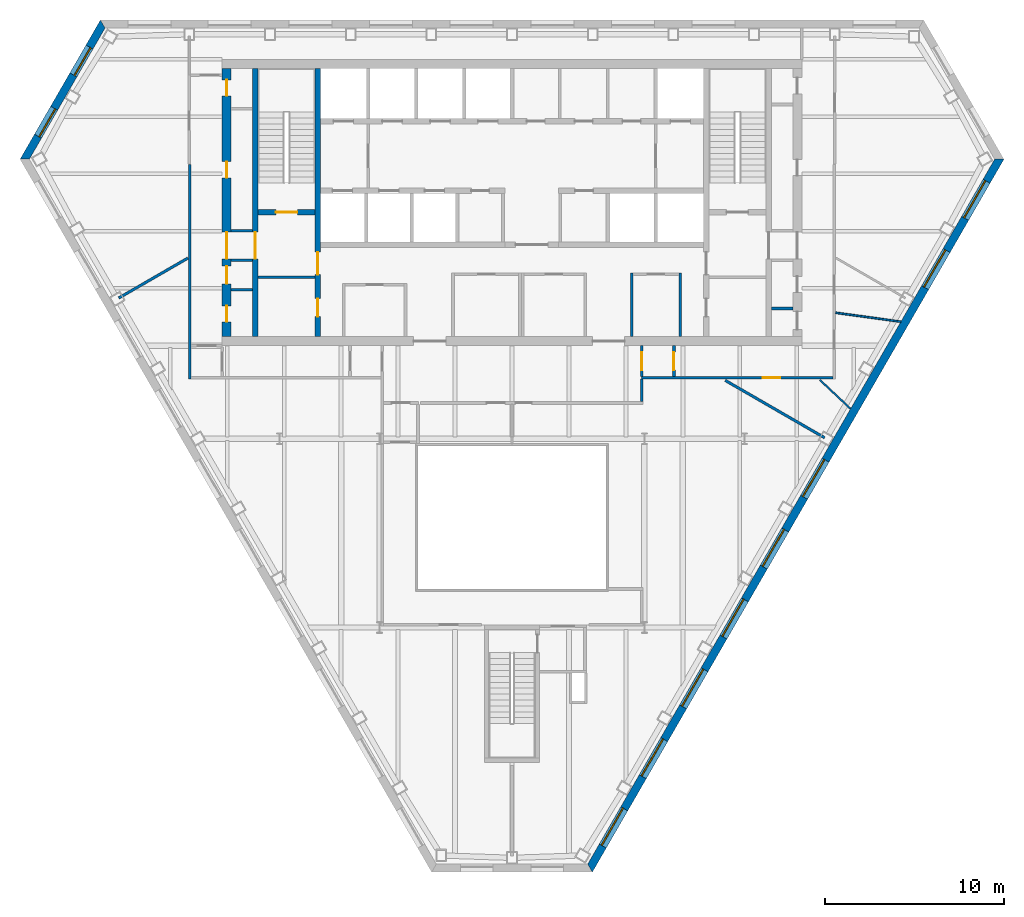
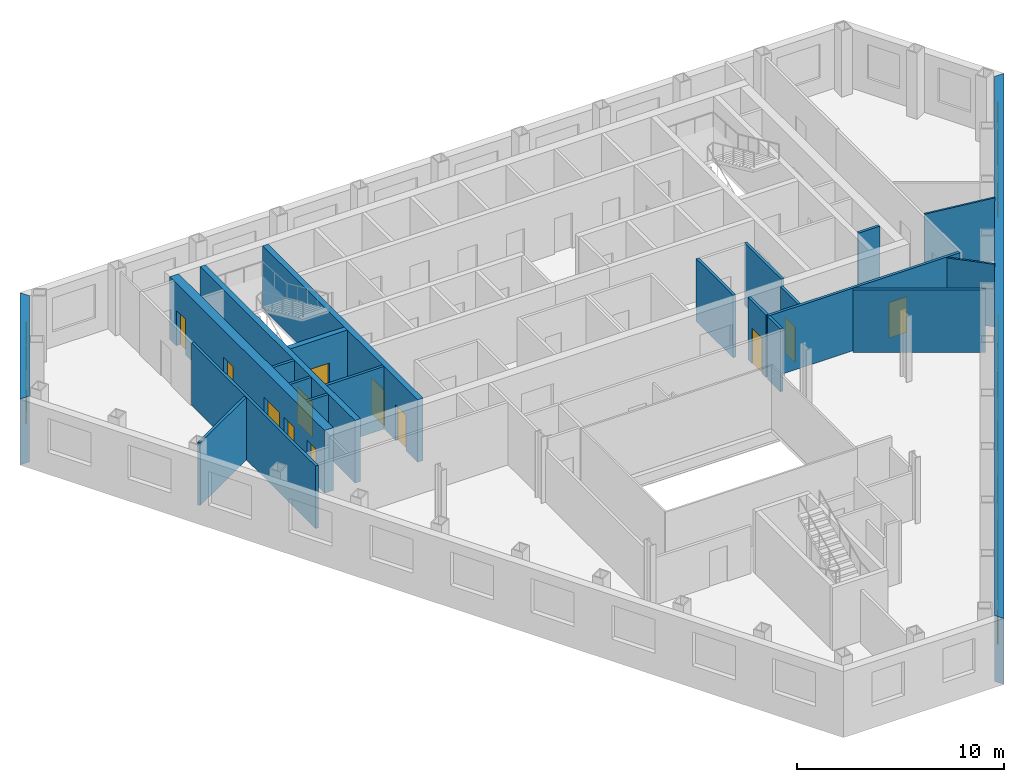
# One storey, part 5 of 11: 22 walls, 12 doors, 10 windows, 22 openings.
"""IFC4 building model written with IfcOpenShell, lengths in metres."""

from ifc_helpers import new_model, si_unit, direction, frame, frame_2d, origin, place, context, subcontext, project, spatial, polyline, rectangle, outline, extrude, material, layer, layer_set, type_object, element, fill, save


model = new_model("IFC4")

# Units and contexts
model_context = context("Model", 3, precision=1e-05, world=origin(), true_north=direction((0.0, 1.0)))
body_context = subcontext(model_context, "Body", "Model", "MODEL_VIEW")
ifc_project = project(units=[si_unit("LENGTHUNIT", "METRE"), si_unit("AREAUNIT", "SQUARE_METRE"), si_unit("VOLUMEUNIT", "CUBIC_METRE"), si_unit("PLANEANGLEUNIT", "RADIAN"), si_unit("MASSUNIT", "GRAM", prefix="KILO")], contexts=[model_context])

# Site, building, storey
site_placement = place(None, origin())
site = spatial("IfcSite", under=ifc_project, at=site_placement, CompositionType="ELEMENT")
building_placement = place(site_placement, origin())
building = spatial("IfcBuilding", under=site, at=building_placement, Name="Njiva Tower", CompositionType="ELEMENT")
storey_placement = place(building_placement, frame((0.0, 0.0, 143.7)))
storey = spatial("IfcBuildingStorey", under=building, at=storey_placement, Name="L30", CompositionType="ELEMENT", Elevation=143.7)

# Walls
ifc_material_1 = material(Name="Blockwork", Category="masonry")
ifc_layer_1 = layer(ifc_material_1, 0.15)
ifc_layer_set_1 = layer_set([ifc_layer_1], Name="Blockwork")
wall_type_1 = type_object("IfcWallType", Name="WT1 Compartment partition 150", PredefinedType="PARTITIONING", material=ifc_layer_set_1)
wall_1_placement = place(storey_placement, frame((-14.2, 5.825, 0.0), z_axis=(0.0, 0.0, 1.0), x_axis=(1.0, 0.0, 0.0)))
element("IfcWall", 1, at=wall_1_placement, inside=storey, type_object=wall_type_1, Name="Room wall A", PredefinedType="PARTITIONING", context=body_context, shape_type="SweptSolid", body=[
    extrude(rectangle(XDim=3.2, YDim=0.15, at=frame_2d((1.6, 0.0))), origin(), (0.0, 0.0, 1.0), 3.7),
])
for number, where, z_axis, x_axis, name in (
    (2, (-15.7, 5.125, 0.0), (0.0, 0.0, 1.0), (1.0, 0.0, 0.0), "Partition strip W00"),
    (3, (14.5, 4.075, 0.0), (0.0, 0.0, 1.0), (1.0, 0.0, 0.0), "Partition strip E00"),
):
    element("IfcWall", number, at=place(storey_placement, frame(where, z_axis=z_axis, x_axis=x_axis)), inside=storey, type_object=wall_type_1, Name=name, PredefinedType="PARTITIONING", context=body_context, shape_type="SweptSolid", body=[
        extrude(rectangle(XDim=1.2, YDim=0.15, at=frame_2d((0.6, 0.0))), origin(), (0.0, 0.0, 1.0), 3.7),
    ])
for number, where, z_axis, x_axis, name in (
    (4, (6.7, 2.5, 0.0), (0.0, 0.0, 1.0), (0.0, 1.0, 0.0), "Information office wall west"),
    (5, (9.4, 2.5, 0.0), (0.0, 0.0, 1.0), (0.0, 1.0, 0.0), "Information office wall east"),
):
    element("IfcWall", number, at=place(storey_placement, frame(where, z_axis=z_axis, x_axis=x_axis)), inside=storey, type_object=wall_type_1, Name=name, PredefinedType="PARTITIONING", context=body_context, shape_type="SweptSolid", body=[
        extrude(rectangle(XDim=3.575, YDim=0.15, at=frame_2d((1.7875, 0.0))), origin(), (0.0, 0.0, 1.0), 3.7),
    ])

# Wall, openings, doors
ifc_material_2 = material(Name="Concrete C40/50", Category="concrete")
ifc_layer_2 = layer(ifc_material_2, 0.3)
ifc_layer_set_2 = layer_set([ifc_layer_2], Name="Concrete C40/50")
wall_type_2 = type_object("IfcWallType", Name="WT10 Stair enclosure wall 300", PredefinedType="SHEAR", material=ifc_layer_set_2)
wall_2_placement = place(storey_placement, frame((-10.85, 2.5, 0.0), z_axis=(0.0, 0.0, 1.0), x_axis=(0.0, 1.0, 0.0)))
wall_2 = element("IfcWall", 6, at=wall_2_placement, inside=storey, type_object=wall_type_2, Name="Stair wall west inner", PredefinedType="SHEAR", context=body_context, shape_type="SweptSolid", body=[
    extrude(rectangle(XDim=15.0, YDim=0.3, at=frame_2d((7.5, 0.0))), origin(), (0.0, 0.0, 1.0), 3.7),
])
opening_1_placement = place(wall_2_placement, frame((3.475, 0.0, 0.0)))
opening_1 = element("IfcOpeningElement", 7, at=opening_1_placement, cuts=wall_2, Name="Opening S10-D916", PredefinedType="OPENING", context=body_context, shape_type="SweptSolid", body=[
    extrude(rectangle(XDim=1.25, YDim=2.1, at=frame_2d((0.625, 1.05))), frame((0.0, 0.16, 0.0), z_axis=(0.0, -1.0, 0.0), x_axis=(1.0, 0.0, 0.0)), (0.0, 0.0, 1.0), 0.32),
])
opening_2_placement = place(wall_2_placement, frame((1.125, 0.0, 0.0)))
opening_2 = element("IfcOpeningElement", 8, at=opening_2_placement, cuts=wall_2, Name="Opening S10-D917", PredefinedType="OPENING", context=body_context, shape_type="SweptSolid", body=[
    extrude(rectangle(XDim=1.0, YDim=2.1, at=frame_2d((0.5, 1.05))), frame((0.0, 0.16, 0.0), z_axis=(0.0, -1.0, 0.0), x_axis=(1.0, 0.0, 0.0)), (0.0, 0.0, 1.0), 0.32),
])
ifc_material_3 = material(Name="Steel door, painted", Category="steel")
door_type_1 = type_object("IfcDoorType", Name="D5 Steel door 1000x2100", OperationType="SINGLE_SWING_LEFT", PredefinedType="DOOR", material=ifc_material_3)
door_1_placement = place(opening_2_placement, origin())
door_1 = element("IfcDoor", 9, at=door_1_placement, inside=storey, type_object=door_type_1, Name="Business centre door", OperationType="SINGLE_SWING_RIGHT", OverallHeight=2.1, OverallWidth=1.0, PredefinedType="DOOR", context=body_context, shape_type="SweptSolid", body=[
    extrude(rectangle(XDim=1.0, YDim=2.1, at=frame_2d((0.5, 1.05))), frame((0.0, 0.025, 0.0), z_axis=(0.0, -1.0, 0.0), x_axis=(1.0, 0.0, 0.0)), (0.0, 0.0, 1.0), 0.05),
])
fill(opening_2, door_1)
ifc_material_4 = material(Name="Glazed steel fire door", Category="steel")
door_type_2 = type_object("IfcDoorType", Name="D8 Vestibule corridor door 1250x2100 glazed", OperationType="SINGLE_SWING_LEFT", PredefinedType="DOOR", material=ifc_material_4)
door_2_placement = place(opening_1_placement, origin())
door_2 = element("IfcDoor", 10, at=door_2_placement, inside=storey, type_object=door_type_2, Name="Stair vestibule corridor door", OperationType="SINGLE_SWING_LEFT", OverallHeight=2.1, OverallWidth=1.25, PredefinedType="DOOR", context=body_context, shape_type="SweptSolid", body=[
    extrude(rectangle(XDim=1.25, YDim=2.1, at=frame_2d((0.625, 1.05))), frame((0.0, 0.025, 0.0), z_axis=(0.0, -1.0, 0.0), x_axis=(1.0, 0.0, 0.0)), (0.0, 0.0, 1.0), 0.05),
])
fill(opening_1, door_2)

# Wall, opening, door
wall_3_placement = place(storey_placement, frame((-14.35, 2.5, 0.0), z_axis=(0.0, 0.0, 1.0), x_axis=(0.0, 1.0, 0.0)))
wall_3 = element("IfcWall", 11, at=wall_3_placement, inside=storey, type_object=wall_type_2, Name="Stair wall west outer", PredefinedType="SHEAR", context=body_context, shape_type="SweptSolid", body=[
    extrude(rectangle(XDim=15.0, YDim=0.3, at=frame_2d((7.5, 0.0))), origin(), (0.0, 0.0, 1.0), 3.7),
])
opening_3_placement = place(wall_3_placement, frame((4.35, 0.0, 0.0)))
opening_3 = element("IfcOpeningElement", 12, at=opening_3_placement, cuts=wall_3, Name="Opening S10-D922", PredefinedType="OPENING", context=body_context, shape_type="SweptSolid", body=[
    extrude(rectangle(XDim=1.5, YDim=2.1, at=frame_2d((0.75, 1.05))), frame((0.0, 0.16, 0.0), z_axis=(0.0, -1.0, 0.0), x_axis=(1.0, 0.0, 0.0)), (0.0, 0.0, 1.0), 0.32),
])
door_type_3 = type_object("IfcDoorType", Name="D10 Exit door double 1500x2100 glazed", OperationType="DOUBLE_DOOR_SINGLE_SWING", PredefinedType="DOOR", material=ifc_material_4)
door_3_placement = place(opening_3_placement, origin())
door_3 = element("IfcDoor", 13, at=door_3_placement, inside=storey, type_object=door_type_3, Name="Stair A passage door", OperationType="DOUBLE_DOOR_SINGLE_SWING", OverallHeight=2.1, OverallWidth=1.5, PredefinedType="DOOR", context=body_context, shape_type="SweptSolid", body=[
    extrude(rectangle(XDim=1.5, YDim=2.1, at=frame_2d((0.75, 1.05))), frame((0.0, 0.025, 0.0), z_axis=(0.0, -1.0, 0.0), x_axis=(1.0, 0.0, 0.0)), (0.0, 0.0, 1.0), 0.05),
])
fill(opening_3, door_3)

wall_4_placement = place(storey_placement, frame((-14.2, 9.45, 0.0), z_axis=(0.0, 0.0, 1.0), x_axis=(1.0, 0.0, 0.0)))
wall_4 = element("IfcWall", 14, at=wall_4_placement, inside=storey, type_object=wall_type_2, Name="Stair A south wall", PredefinedType="SHEAR", context=body_context, shape_type="SweptSolid", body=[
    extrude(rectangle(XDim=3.2, YDim=0.3, at=frame_2d((1.6, 0.0))), origin(), (0.0, 0.0, 1.0), 3.7),
])
opening_4_placement = place(wall_4_placement, frame((1.0, 0.0, 0.0)))
opening_4 = element("IfcOpeningElement", 15, at=opening_4_placement, cuts=wall_4, Name="Opening S10-D915", PredefinedType="OPENING", context=body_context, shape_type="SweptSolid", body=[
    extrude(rectangle(XDim=1.2, YDim=2.1, at=frame_2d((0.6, 1.05))), frame((0.0, 0.16, 0.0), z_axis=(0.0, -1.0, 0.0), x_axis=(1.0, 0.0, 0.0)), (0.0, 0.0, 1.0), 0.32),
])
door_type_4 = type_object("IfcDoorType", Name="D7 Stair vestibule door 1200x2100 glazed", OperationType="SINGLE_SWING_LEFT", PredefinedType="DOOR", material=ifc_material_4)
door_4_placement = place(opening_4_placement, origin())
door_4 = element("IfcDoor", 16, at=door_4_placement, inside=storey, type_object=door_type_4, Name="Stair A door", OperationType="SINGLE_SWING_LEFT", OverallHeight=2.1, OverallWidth=1.2, PredefinedType="DOOR", context=body_context, shape_type="SweptSolid", body=[
    extrude(rectangle(XDim=1.2, YDim=2.1, at=frame_2d((0.6, 1.05))), frame((0.0, 0.025, 0.0), z_axis=(0.0, -1.0, 0.0), x_axis=(1.0, 0.0, 0.0)), (0.0, 0.0, 1.0), 0.05),
])
fill(opening_4, door_4)

# Wall, openings, doors
ifc_material_5 = material(Name="Concrete C60/75", Category="concrete")
ifc_layer_3 = layer(ifc_material_5, 0.5)
ifc_layer_set_3 = layer_set([ifc_layer_3], Name="Concrete C60/75")
wall_type_3 = type_object("IfcWallType", Name="WT13 Core wall 500", PredefinedType="SHEAR", material=ifc_layer_set_3)
wall_5_placement = place(storey_placement, frame((-15.95, 2.5, 0.0), z_axis=(0.0, 0.0, 1.0), x_axis=(0.0, 1.0, 0.0)))
wall_5 = element("IfcWall", 17, at=wall_5_placement, inside=storey, type_object=wall_type_3, Name="Core wall west", PredefinedType="SHEAR", context=body_context, shape_type="SweptSolid", body=[
    extrude(rectangle(XDim=15.0, YDim=0.5, at=frame_2d((7.5, 0.0))), origin(), (0.0, 0.0, 1.0), 3.7),
])
opening_5_placement = place(wall_5_placement, frame((4.35, 0.0, 0.0)))
opening_5 = element("IfcOpeningElement", 18, at=opening_5_placement, cuts=wall_5, Name="Opening S10-D923", PredefinedType="OPENING", context=body_context, shape_type="SweptSolid", body=[
    extrude(rectangle(XDim=1.5, YDim=2.1, at=frame_2d((0.75, 1.05))), frame((0.0, 0.26, 0.0), z_axis=(0.0, -1.0, 0.0), x_axis=(1.0, 0.0, 0.0)), (0.0, 0.0, 1.0), 0.52),
])
opening_6_placement = place(wall_5_placement, frame((0.825, 0.0, 0.0)))
opening_6 = element("IfcOpeningElement", 19, at=opening_6_placement, cuts=wall_5, Name="Opening S10-D924", PredefinedType="OPENING", context=body_context, shape_type="SweptSolid", body=[
    extrude(rectangle(XDim=0.9, YDim=2.1, at=frame_2d((0.45, 1.05))), frame((0.0, 0.26, 0.0), z_axis=(0.0, -1.0, 0.0), x_axis=(1.0, 0.0, 0.0)), (0.0, 0.0, 1.0), 0.52),
])
opening_7_placement = place(wall_5_placement, frame((2.95, 0.0, 0.0)))
opening_7 = element("IfcOpeningElement", 20, at=opening_7_placement, cuts=wall_5, Name="Opening S10-D925", PredefinedType="OPENING", context=body_context, shape_type="SweptSolid", body=[
    extrude(rectangle(XDim=1.0, YDim=2.1, at=frame_2d((0.5, 1.05))), frame((0.0, 0.26, 0.0), z_axis=(0.0, -1.0, 0.0), x_axis=(1.0, 0.0, 0.0)), (0.0, 0.0, 1.0), 0.52),
])
opening_8_placement = place(wall_5_placement, frame((8.8823, 0.0, 0.0)))
opening_8 = element("IfcOpeningElement", 21, at=opening_8_placement, cuts=wall_5, Name="Opening S10-D926", PredefinedType="OPENING", context=body_context, shape_type="SweptSolid", body=[
    extrude(rectangle(XDim=0.9, YDim=2.1, at=frame_2d((0.45, 1.05))), frame((0.0, 0.26, 0.0), z_axis=(0.0, -1.0, 0.0), x_axis=(1.0, 0.0, 0.0)), (0.0, 0.0, 1.0), 0.52),
])
opening_9_placement = place(wall_5_placement, frame((13.4573, 0.0, 0.0)))
opening_9 = element("IfcOpeningElement", 22, at=opening_9_placement, cuts=wall_5, Name="Opening S10-D927", PredefinedType="OPENING", context=body_context, shape_type="SweptSolid", body=[
    extrude(rectangle(XDim=0.9, YDim=2.1, at=frame_2d((0.45, 1.05))), frame((0.0, 0.26, 0.0), z_axis=(0.0, -1.0, 0.0), x_axis=(1.0, 0.0, 0.0)), (0.0, 0.0, 1.0), 0.52),
])
door_5_placement = place(opening_5_placement, origin())
door_5 = element("IfcDoor", 23, at=door_5_placement, inside=storey, type_object=door_type_3, Name="Stair A corridor door", OperationType="DOUBLE_DOOR_SINGLE_SWING", OverallHeight=2.1, OverallWidth=1.5, PredefinedType="DOOR", context=body_context, shape_type="SweptSolid", body=[
    extrude(rectangle(XDim=1.5, YDim=2.1, at=frame_2d((0.75, 1.05))), frame((0.0, 0.025, 0.0), z_axis=(0.0, -1.0, 0.0), x_axis=(1.0, 0.0, 0.0)), (0.0, 0.0, 1.0), 0.05),
])
fill(opening_5, door_5)
door_type_5 = type_object("IfcDoorType", Name="D4 Riser door 900x2100", OperationType="SINGLE_SWING_LEFT", PredefinedType="DOOR", material=ifc_material_3)
door_6_placement = place(opening_9_placement, origin())
door_6 = element("IfcDoor", 24, at=door_6_placement, inside=storey, type_object=door_type_5, Name="Cable riser door", OperationType="SINGLE_SWING_LEFT", OverallHeight=2.1, OverallWidth=0.9, PredefinedType="DOOR", context=body_context, shape_type="SweptSolid", body=[
    extrude(rectangle(XDim=0.9, YDim=2.1, at=frame_2d((0.45, 1.05))), frame((0.0, 0.025, 0.0), z_axis=(0.0, -1.0, 0.0), x_axis=(1.0, 0.0, 0.0)), (0.0, 0.0, 1.0), 0.05),
])
fill(opening_9, door_6)
door_7_placement = place(opening_7_placement, origin())
door_7 = element("IfcDoor", 25, at=door_7_placement, inside=storey, type_object=door_type_1, Name="Electrical room door", OperationType="SINGLE_SWING_RIGHT", OverallHeight=2.1, OverallWidth=1.0, PredefinedType="DOOR", context=body_context, shape_type="SweptSolid", body=[
    extrude(rectangle(XDim=1.0, YDim=2.1, at=frame_2d((0.5, 1.05))), frame((0.0, 0.025, 0.0), z_axis=(0.0, -1.0, 0.0), x_axis=(1.0, 0.0, 0.0)), (0.0, 0.0, 1.0), 0.05),
])
fill(opening_7, door_7)
ifc_material_6 = material(Name="Steel fire door, painted", Category="steel")
door_type_6 = type_object("IfcDoorType", Name="D6 Fire-rated door 900x2100", OperationType="SINGLE_SWING_LEFT", PredefinedType="DOOR", material=ifc_material_6)
door_8_placement = place(opening_6_placement, origin())
door_8 = element("IfcDoor", 26, at=door_8_placement, inside=storey, type_object=door_type_6, Name="Cable store door", OperationType="SINGLE_SWING_RIGHT", OverallHeight=2.1, OverallWidth=0.9, PredefinedType="DOOR", context=body_context, shape_type="SweptSolid", body=[
    extrude(rectangle(XDim=0.9, YDim=2.1, at=frame_2d((0.45, 1.05))), frame((0.0, 0.025, 0.0), z_axis=(0.0, -1.0, 0.0), x_axis=(1.0, 0.0, 0.0)), (0.0, 0.0, 1.0), 0.05),
])
fill(opening_6, door_8)
door_9_placement = place(opening_8_placement, origin())
door_9 = element("IfcDoor", 27, at=door_9_placement, inside=storey, type_object=door_type_6, Name="Cable store door", OperationType="SINGLE_SWING_LEFT", OverallHeight=2.1, OverallWidth=0.9, PredefinedType="DOOR", context=body_context, shape_type="SweptSolid", body=[
    extrude(rectangle(XDim=0.9, YDim=2.1, at=frame_2d((0.45, 1.05))), frame((0.0, 0.025, 0.0), z_axis=(0.0, -1.0, 0.0), x_axis=(1.0, 0.0, 0.0)), (0.0, 0.0, 1.0), 0.05),
])
fill(opening_8, door_9)

# Walls
ifc_material_7 = material(Name="Gypsum board on steel studs", Category="gypsum")
ifc_layer_4 = layer(ifc_material_7, 0.1)
ifc_layer_set_4 = layer_set([ifc_layer_4], Name="Gypsum board on steel studs")
wall_type_4 = type_object("IfcWallType", Name="WT20 Gypsum partition 100", PredefinedType="PARTITIONING", material=ifc_layer_set_4)
wall_6_placement = place(storey_placement, frame((17.2, 0.089, 0.0), z_axis=(0.0, 0.0, 1.0), x_axis=(0.728995381281, -0.684518614846, 0.0)))
element("IfcWall", 28, at=wall_6_placement, inside=storey, type_object=wall_type_4, Name="Partition S10-P027", PredefinedType="PARTITIONING", context=body_context, shape_type="SweptSolid", body=[
    extrude(rectangle(XDim=2.3608, YDim=0.1, at=frame_2d((1.1804, 0.0))), origin(), (0.0, 0.0, 1.0), 3.7),
])
wall_7_placement = place(storey_placement, frame((18.082, 3.84, 0.0), z_axis=(0.0, 0.0, 1.0), x_axis=(0.990695786663, -0.136095034033, 0.0)))
element("IfcWall", 29, at=wall_7_placement, inside=storey, type_object=wall_type_4, Name="Partition S10-P030", PredefinedType="PARTITIONING", context=body_context, shape_type="SweptSolid", body=[
    extrude(rectangle(XDim=3.6813, YDim=0.1, at=frame_2d((1.8406, 0.0))), origin(), (0.0, 0.0, 1.0), 3.7),
])
ifc_layer_5 = layer(ifc_material_7, 0.15)
ifc_layer_set_5 = layer_set([ifc_layer_5], Name="Gypsum board on steel studs")
wall_type_5 = type_object("IfcWallType", Name="WT21 Compartment wall 150", PredefinedType="PARTITIONING", material=ifc_layer_set_5)
wall_8_placement = place(storey_placement, frame((-21.976, 4.664, 0.0), z_axis=(0.0, 0.0, 1.0), x_axis=(0.865957845807, 0.500116995598, 0.0)))
element("IfcWall", 30, at=wall_8_placement, inside=storey, type_object=wall_type_5, Name="Partition S10-P001", PredefinedType="PARTITIONING", context=body_context, shape_type="SweptSolid", body=[
    extrude(rectangle(XDim=4.461, YDim=0.15, at=frame_2d((2.2305, 0.0))), origin(), (0.0, 0.0, 1.0), 3.7),
])
wall_9_placement = place(storey_placement, frame((-18.0, 0.125, 0.0), z_axis=(0.0, 0.0, 1.0), x_axis=(0.0, 1.0, 0.0)))
element("IfcWall", 31, at=wall_9_placement, inside=storey, type_object=wall_type_5, Name="Partition S10-P004", PredefinedType="PARTITIONING", context=body_context, shape_type="SweptSolid", body=[
    extrude(rectangle(XDim=11.999, YDim=0.15, at=frame_2d((5.9995, 0.0))), origin(), (0.0, 0.0, 1.0), 3.7),
])
wall_10_placement = place(storey_placement, frame((7.25, -1.125, 0.0), z_axis=(0.0, 0.0, 1.0), x_axis=(0.0, 1.0, 0.0)))
element("IfcWall", 32, at=wall_10_placement, inside=storey, type_object=wall_type_5, Name="Partition S10-P021", PredefinedType="PARTITIONING", context=body_context, shape_type="SweptSolid", body=[
    extrude(rectangle(XDim=1.25, YDim=0.15, at=frame_2d((0.625, 0.0))), origin(), (0.0, 0.0, 1.0), 3.7),
])

# Wall, opening, door
wall_11_placement = place(storey_placement, frame((7.25, 0.2, 0.0), z_axis=(0.0, 0.0, 1.0), x_axis=(1.0, 0.0, 0.0)))
wall_11 = element("IfcWall", 33, at=wall_11_placement, inside=storey, type_object=wall_type_5, Name="Partition S10-P022", PredefinedType="PARTITIONING", context=body_context, shape_type="SweptSolid", body=[
    extrude(rectangle(XDim=10.675, YDim=0.15, at=frame_2d((5.3375, 0.0))), origin(), (0.0, 0.0, 1.0), 3.7),
])
opening_10_placement = place(wall_11_placement, frame((6.75, 0.0, 0.0)))
opening_10 = element("IfcOpeningElement", 34, at=opening_10_placement, cuts=wall_11, Name="Opening S10-D012", PredefinedType="OPENING", context=body_context, shape_type="SweptSolid", body=[
    extrude(rectangle(XDim=1.0, YDim=2.1, at=frame_2d((0.5, 1.05))), frame((0.0, 0.085, 0.0), z_axis=(0.0, -1.0, 0.0), x_axis=(1.0, 0.0, 0.0)), (0.0, 0.0, 1.0), 0.17),
])
ifc_material_8 = material(Name="Steel fire door set", Category="steel")
door_type_7 = type_object("IfcDoorType", Name="D37 Fire door 1000x2100", OperationType="SINGLE_SWING_LEFT", PredefinedType="DOOR", material=ifc_material_8)
door_10_placement = place(opening_10_placement, origin())
door_10 = element("IfcDoor", 35, at=door_10_placement, inside=storey, type_object=door_type_7, Name="Door S10-D012", OperationType="SINGLE_SWING_RIGHT", OverallHeight=2.1, OverallWidth=1.0, PredefinedType="DOOR", context=body_context, shape_type="SweptSolid", body=[
    extrude(rectangle(XDim=1.0, YDim=2.1, at=frame_2d((0.5, 1.05))), frame((0.0, 0.025, 0.0), z_axis=(0.0, -1.0, 0.0), x_axis=(1.0, 0.0, 0.0)), (0.0, 0.0, 1.0), 0.05),
])
fill(opening_10, door_10)

wall_12_placement = place(storey_placement, frame((7.25, 0.275, 0.0), z_axis=(0.0, 0.0, 1.0), x_axis=(0.0, 1.0, 0.0)))
wall_12 = element("IfcWall", 36, at=wall_12_placement, inside=storey, type_object=wall_type_5, Name="Partition S10-P023", PredefinedType="PARTITIONING", context=body_context, shape_type="SweptSolid", body=[
    extrude(rectangle(XDim=1.725, YDim=0.15, at=frame_2d((0.8625, 0.0))), origin(), (0.0, 0.0, 1.0), 3.7),
])
opening_11_placement = place(wall_12_placement, frame((0.362, 0.0, 0.0)))
opening_11 = element("IfcOpeningElement", 37, at=opening_11_placement, cuts=wall_12, Name="Opening S10-D013", PredefinedType="OPENING", context=body_context, shape_type="SweptSolid", body=[
    extrude(rectangle(XDim=1.0, YDim=2.1, at=frame_2d((0.5, 1.05))), frame((0.0, 0.085, 0.0), z_axis=(0.0, -1.0, 0.0), x_axis=(1.0, 0.0, 0.0)), (0.0, 0.0, 1.0), 0.17),
])
door_11_placement = place(opening_11_placement, origin())
door_11 = element("IfcDoor", 38, at=door_11_placement, inside=storey, type_object=door_type_7, Name="Door S10-D013", OperationType="SINGLE_SWING_LEFT", OverallHeight=2.1, OverallWidth=1.0, PredefinedType="DOOR", context=body_context, shape_type="SweptSolid", body=[
    extrude(rectangle(XDim=1.0, YDim=2.1, at=frame_2d((0.5, 1.05))), frame((0.0, 0.025, 0.0), z_axis=(0.0, -1.0, 0.0), x_axis=(1.0, 0.0, 0.0)), (0.0, 0.0, 1.0), 0.05),
])
fill(opening_11, door_11)

wall_13_placement = place(storey_placement, frame((9.05, 0.275, 0.0), z_axis=(0.0, 0.0, 1.0), x_axis=(0.0, 1.0, 0.0)))
wall_13 = element("IfcWall", 39, at=wall_13_placement, inside=storey, type_object=wall_type_5, Name="Partition S10-P024", PredefinedType="PARTITIONING", context=body_context, shape_type="SweptSolid", body=[
    extrude(rectangle(XDim=1.725, YDim=0.15, at=frame_2d((0.8625, 0.0))), origin(), (0.0, 0.0, 1.0), 3.7),
])
opening_12_placement = place(wall_13_placement, frame((0.363, 0.0, 0.0)))
opening_12 = element("IfcOpeningElement", 40, at=opening_12_placement, cuts=wall_13, Name="Opening S10-D014", PredefinedType="OPENING", context=body_context, shape_type="SweptSolid", body=[
    extrude(rectangle(XDim=1.0, YDim=2.1, at=frame_2d((0.5, 1.05))), frame((0.0, 0.085, 0.0), z_axis=(0.0, -1.0, 0.0), x_axis=(1.0, 0.0, 0.0)), (0.0, 0.0, 1.0), 0.17),
])
door_12_placement = place(opening_12_placement, origin())
door_12 = element("IfcDoor", 41, at=door_12_placement, inside=storey, type_object=door_type_7, Name="Door S10-D014", OperationType="SINGLE_SWING_RIGHT", OverallHeight=2.1, OverallWidth=1.0, PredefinedType="DOOR", context=body_context, shape_type="SweptSolid", body=[
    extrude(rectangle(XDim=1.0, YDim=2.1, at=frame_2d((0.5, 1.05))), frame((0.0, 0.025, 0.0), z_axis=(0.0, -1.0, 0.0), x_axis=(1.0, 0.0, 0.0)), (0.0, 0.0, 1.0), 0.05),
])
fill(opening_12, door_12)

# Walls
wall_14_placement = place(storey_placement, frame((11.916, 0.06, 0.0), z_axis=(0.0, 0.0, 1.0), x_axis=(0.866055709532, -0.499947505232, 0.0)))
element("IfcWall", 42, at=wall_14_placement, inside=storey, type_object=wall_type_5, Name="Partition S10-P025", PredefinedType="PARTITIONING", context=body_context, shape_type="SweptSolid", body=[
    extrude(rectangle(XDim=6.4107, YDim=0.15, at=frame_2d((3.2054, 0.0))), origin(), (0.0, 0.0, 1.0), 3.7),
])
ifc_layer_6 = layer(ifc_material_1, 0.15)
ifc_layer_set_6 = layer_set([ifc_layer_6], Name="Blockwork")
wall_type_6 = type_object("IfcWallType", Name="WT4 Stair partition 150", PredefinedType="PARTITIONING", material=ifc_layer_set_6)
for number, where, z_axis, x_axis, name in (
    (43, (-15.7, 6.775, 0.0), (0.0, 0.0, 1.0), (1.0, 0.0, 0.0), "Stair A exit passage wall south"),
    (44, (-15.7, 8.425, 0.0), (0.0, 0.0, 1.0), (1.0, 0.0, 0.0), "Stair A exit passage wall north"),
):
    element("IfcWall", number, at=place(storey_placement, frame(where, z_axis=z_axis, x_axis=x_axis)), inside=storey, type_object=wall_type_6, Name=name, PredefinedType="PARTITIONING", context=body_context, shape_type="SweptSolid", body=[
        extrude(rectangle(XDim=1.2, YDim=0.15, at=frame_2d((0.6, 0.0))), origin(), (0.0, 0.0, 1.0), 3.7),
    ])

# Wall, openings, windows
ifc_material_9 = material(Name="Brick masonry", Category="masonry")
ifc_layer_7 = layer(ifc_material_9, 0.45)
ifc_layer_set_7 = layer_set([ifc_layer_7], Name="Brick masonry")
wall_type_7 = type_object("IfcWallType", Name="WT90 Brick pier and spandrel wall 450", PredefinedType="SOLIDWALL", material=ifc_layer_set_7)
wall_15_placement = place(storey_placement, frame((4.3601, -27.1977, -0.4), z_axis=(0.0, 0.0, 1.0), x_axis=(0.500000335318, 0.866025210188, 0.0)))
wall_15 = element("IfcWall", 45, at=wall_15_placement, inside=storey, type_object=wall_type_7, Name="Facade wall SE", PredefinedType="SOLIDWALL", context=body_context, shape_type="SweptSolid", body=[
    extrude(outline(polyline([(-0.1299, -0.225), (45.8801, -0.225), (45.6203, 0.225), (0.1299, 0.225), (-0.1299, -0.225)])), origin(), (0.0, 0.0, 1.0), 3.9),
])
opening_13_placement = place(wall_15_placement, frame((1.4247, 0.0, 1.3)))
opening_13 = element("IfcOpeningElement", 46, at=opening_13_placement, cuts=wall_15, Name="Opening S10-W24", PredefinedType="OPENING", context=body_context, shape_type="SweptSolid", body=[
    extrude(rectangle(XDim=2.4, YDim=2.0, at=frame_2d((1.2, 1.0))), frame((0.0, 0.235, 0.0), z_axis=(0.0, -1.0, 0.0), x_axis=(1.0, 0.0, 0.0)), (0.0, 0.0, 1.0), 0.47),
])
opening_14_placement = place(wall_15_placement, frame((5.8949, 0.0, 1.3)))
opening_14 = element("IfcOpeningElement", 47, at=opening_14_placement, cuts=wall_15, Name="Opening S10-W25", PredefinedType="OPENING", context=body_context, shape_type="SweptSolid", body=[
    extrude(rectangle(XDim=2.4, YDim=2.0, at=frame_2d((1.2, 1.0))), frame((0.0, 0.235, 0.0), z_axis=(0.0, -1.0, 0.0), x_axis=(1.0, 0.0, 0.0)), (0.0, 0.0, 1.0), 0.47),
])
opening_15_placement = place(wall_15_placement, frame((10.4035, 0.0, 1.3)))
opening_15 = element("IfcOpeningElement", 48, at=opening_15_placement, cuts=wall_15, Name="Opening S10-W26", PredefinedType="OPENING", context=body_context, shape_type="SweptSolid", body=[
    extrude(rectangle(XDim=2.4, YDim=2.0, at=frame_2d((1.2, 1.0))), frame((0.0, 0.235, 0.0), z_axis=(0.0, -1.0, 0.0), x_axis=(1.0, 0.0, 0.0)), (0.0, 0.0, 1.0), 0.47),
])
opening_16_placement = place(wall_15_placement, frame((14.9122, 0.0, 1.3)))
opening_16 = element("IfcOpeningElement", 49, at=opening_16_placement, cuts=wall_15, Name="Opening S10-W27", PredefinedType="OPENING", context=body_context, shape_type="SweptSolid", body=[
    extrude(rectangle(XDim=2.4, YDim=2.0, at=frame_2d((1.2, 1.0))), frame((0.0, 0.235, 0.0), z_axis=(0.0, -1.0, 0.0), x_axis=(1.0, 0.0, 0.0)), (0.0, 0.0, 1.0), 0.47),
])
opening_17_placement = place(wall_15_placement, frame((19.4208, 0.0, 1.3)))
opening_17 = element("IfcOpeningElement", 50, at=opening_17_placement, cuts=wall_15, Name="Opening S10-W28", PredefinedType="OPENING", context=body_context, shape_type="SweptSolid", body=[
    extrude(rectangle(XDim=2.4, YDim=2.0, at=frame_2d((1.2, 1.0))), frame((0.0, 0.235, 0.0), z_axis=(0.0, -1.0, 0.0), x_axis=(1.0, 0.0, 0.0)), (0.0, 0.0, 1.0), 0.47),
])
opening_18_placement = place(wall_15_placement, frame((23.9294, 0.0, 1.3)))
opening_18 = element("IfcOpeningElement", 51, at=opening_18_placement, cuts=wall_15, Name="Opening S10-W29", PredefinedType="OPENING", context=body_context, shape_type="SweptSolid", body=[
    extrude(rectangle(XDim=2.4, YDim=2.0, at=frame_2d((1.2, 1.0))), frame((0.0, 0.235, 0.0), z_axis=(0.0, -1.0, 0.0), x_axis=(1.0, 0.0, 0.0)), (0.0, 0.0, 1.0), 0.47),
])
opening_19_placement = place(wall_15_placement, frame((37.4553, 0.0, 1.3)))
opening_19 = element("IfcOpeningElement", 52, at=opening_19_placement, cuts=wall_15, Name="Opening S10-W30", PredefinedType="OPENING", context=body_context, shape_type="SweptSolid", body=[
    extrude(rectangle(XDim=2.4, YDim=2.0, at=frame_2d((1.2, 1.0))), frame((0.0, 0.235, 0.0), z_axis=(0.0, -1.0, 0.0), x_axis=(1.0, 0.0, 0.0)), (0.0, 0.0, 1.0), 0.47),
])
opening_20_placement = place(wall_15_placement, frame((41.9255, 0.0, 1.3)))
opening_20 = element("IfcOpeningElement", 53, at=opening_20_placement, cuts=wall_15, Name="Opening S10-W31", PredefinedType="OPENING", context=body_context, shape_type="SweptSolid", body=[
    extrude(rectangle(XDim=2.4, YDim=2.0, at=frame_2d((1.2, 1.0))), frame((0.0, 0.235, 0.0), z_axis=(0.0, -1.0, 0.0), x_axis=(1.0, 0.0, 0.0)), (0.0, 0.0, 1.0), 0.47),
])
ifc_material_10 = material(Name="Clear glazing in aluminium frame", Category="aluminium")
window_type_1 = type_object("IfcWindowType", Name="W90 Deep-set window 2400x2000", PartitioningType="SINGLE_PANEL", PredefinedType="WINDOW", material=ifc_material_10)
window_1_placement = place(opening_13_placement, origin())
window_1 = element("IfcWindow", 54, at=window_1_placement, inside=storey, type_object=window_type_1, Name="Window", OverallHeight=2.0, OverallWidth=2.4, PartitioningType="SINGLE_PANEL", PredefinedType="WINDOW", context=body_context, shape_type="SweptSolid", body=[
    extrude(rectangle(XDim=2.4, YDim=2.0, at=frame_2d((1.2, 1.0))), frame((0.0, 0.105, 0.0), z_axis=(0.0, -1.0, 0.0), x_axis=(1.0, 0.0, 0.0)), (0.0, 0.0, 1.0), 0.06),
])
fill(opening_13, window_1)
window_2_placement = place(opening_14_placement, origin())
window_2 = element("IfcWindow", 55, at=window_2_placement, inside=storey, type_object=window_type_1, Name="Window", OverallHeight=2.0, OverallWidth=2.4, PartitioningType="SINGLE_PANEL", PredefinedType="WINDOW", context=body_context, shape_type="SweptSolid", body=[
    extrude(rectangle(XDim=2.4, YDim=2.0, at=frame_2d((1.2, 1.0))), frame((0.0, 0.105, 0.0), z_axis=(0.0, -1.0, 0.0), x_axis=(1.0, 0.0, 0.0)), (0.0, 0.0, 1.0), 0.06),
])
fill(opening_14, window_2)
window_3_placement = place(opening_15_placement, origin())
window_3 = element("IfcWindow", 56, at=window_3_placement, inside=storey, type_object=window_type_1, Name="Window", OverallHeight=2.0, OverallWidth=2.4, PartitioningType="SINGLE_PANEL", PredefinedType="WINDOW", context=body_context, shape_type="SweptSolid", body=[
    extrude(rectangle(XDim=2.4, YDim=2.0, at=frame_2d((1.2, 1.0))), frame((0.0, 0.105, 0.0), z_axis=(0.0, -1.0, 0.0), x_axis=(1.0, 0.0, 0.0)), (0.0, 0.0, 1.0), 0.06),
])
fill(opening_15, window_3)
window_4_placement = place(opening_16_placement, origin())
window_4 = element("IfcWindow", 57, at=window_4_placement, inside=storey, type_object=window_type_1, Name="Window", OverallHeight=2.0, OverallWidth=2.4, PartitioningType="SINGLE_PANEL", PredefinedType="WINDOW", context=body_context, shape_type="SweptSolid", body=[
    extrude(rectangle(XDim=2.4, YDim=2.0, at=frame_2d((1.2, 1.0))), frame((0.0, 0.105, 0.0), z_axis=(0.0, -1.0, 0.0), x_axis=(1.0, 0.0, 0.0)), (0.0, 0.0, 1.0), 0.06),
])
fill(opening_16, window_4)
window_5_placement = place(opening_17_placement, origin())
window_5 = element("IfcWindow", 58, at=window_5_placement, inside=storey, type_object=window_type_1, Name="Window", OverallHeight=2.0, OverallWidth=2.4, PartitioningType="SINGLE_PANEL", PredefinedType="WINDOW", context=body_context, shape_type="SweptSolid", body=[
    extrude(rectangle(XDim=2.4, YDim=2.0, at=frame_2d((1.2, 1.0))), frame((0.0, 0.105, 0.0), z_axis=(0.0, -1.0, 0.0), x_axis=(1.0, 0.0, 0.0)), (0.0, 0.0, 1.0), 0.06),
])
fill(opening_17, window_5)
window_6_placement = place(opening_18_placement, origin())
window_6 = element("IfcWindow", 59, at=window_6_placement, inside=storey, type_object=window_type_1, Name="Window", OverallHeight=2.0, OverallWidth=2.4, PartitioningType="SINGLE_PANEL", PredefinedType="WINDOW", context=body_context, shape_type="SweptSolid", body=[
    extrude(rectangle(XDim=2.4, YDim=2.0, at=frame_2d((1.2, 1.0))), frame((0.0, 0.105, 0.0), z_axis=(0.0, -1.0, 0.0), x_axis=(1.0, 0.0, 0.0)), (0.0, 0.0, 1.0), 0.06),
])
fill(opening_18, window_6)
window_7_placement = place(opening_19_placement, origin())
window_7 = element("IfcWindow", 60, at=window_7_placement, inside=storey, type_object=window_type_1, Name="Window", OverallHeight=2.0, OverallWidth=2.4, PartitioningType="SINGLE_PANEL", PredefinedType="WINDOW", context=body_context, shape_type="SweptSolid", body=[
    extrude(rectangle(XDim=2.4, YDim=2.0, at=frame_2d((1.2, 1.0))), frame((0.0, 0.105, 0.0), z_axis=(0.0, -1.0, 0.0), x_axis=(1.0, 0.0, 0.0)), (0.0, 0.0, 1.0), 0.06),
])
fill(opening_19, window_7)
window_8_placement = place(opening_20_placement, origin())
window_8 = element("IfcWindow", 61, at=window_8_placement, inside=storey, type_object=window_type_1, Name="Window", OverallHeight=2.0, OverallWidth=2.4, PartitioningType="SINGLE_PANEL", PredefinedType="WINDOW", context=body_context, shape_type="SweptSolid", body=[
    extrude(rectangle(XDim=2.4, YDim=2.0, at=frame_2d((1.2, 1.0))), frame((0.0, 0.105, 0.0), z_axis=(0.0, -1.0, 0.0), x_axis=(1.0, 0.0, 0.0)), (0.0, 0.0, 1.0), 0.06),
])
fill(opening_20, window_8)

ifc_material_11 = material(Name="Brick masonry, buff", Category="masonry")
ifc_layer_8 = layer(ifc_material_11, 0.45)
ifc_layer_set_8 = layer_set([ifc_layer_8], Name="Brick masonry, buff")
wall_type_8 = type_object("IfcWallType", Name="WT94 Brick pier and spandrel wall 450, buff", PredefinedType="SOLIDWALL", material=ifc_layer_set_8)
wall_16_placement = place(storey_placement, frame((-22.8713, 19.9728, -0.4), z_axis=(0.0, 0.0, 1.0), x_axis=(-0.500000731243, -0.866024981601, 0.0)))
wall_16 = element("IfcWall", 62, at=wall_16_placement, inside=storey, type_object=wall_type_8, Name="Facade wall NW", PredefinedType="SOLIDWALL", context=body_context, shape_type="SweptSolid", body=[
    extrude(outline(polyline([(-0.1299, -0.225), (8.8501, -0.225), (8.5903, 0.225), (0.1299, 0.225), (-0.1299, -0.225)])), origin(), (0.0, 0.0, 1.0), 3.9),
])
opening_21_placement = place(wall_16_placement, frame((1.4844, 0.0, 1.3)))
opening_21 = element("IfcOpeningElement", 63, at=opening_21_placement, cuts=wall_16, Name="Opening S10-W10", PredefinedType="OPENING", context=body_context, shape_type="SweptSolid", body=[
    extrude(rectangle(XDim=1.8, YDim=2.0, at=frame_2d((0.9, 1.0))), frame((0.0, 0.235, 0.0), z_axis=(0.0, -1.0, 0.0), x_axis=(1.0, 0.0, 0.0)), (0.0, 0.0, 1.0), 0.47),
])
opening_22_placement = place(wall_16_placement, frame((5.4357, 0.0, 1.3)))
opening_22 = element("IfcOpeningElement", 64, at=opening_22_placement, cuts=wall_16, Name="Opening S10-W11", PredefinedType="OPENING", context=body_context, shape_type="SweptSolid", body=[
    extrude(rectangle(XDim=1.8, YDim=2.0, at=frame_2d((0.9, 1.0))), frame((0.0, 0.235, 0.0), z_axis=(0.0, -1.0, 0.0), x_axis=(1.0, 0.0, 0.0)), (0.0, 0.0, 1.0), 0.47),
])
window_type_2 = type_object("IfcWindowType", Name="W94 Deep-set window 1800x2000", PartitioningType="SINGLE_PANEL", PredefinedType="WINDOW", material=ifc_material_10)
window_9_placement = place(opening_21_placement, origin())
window_9 = element("IfcWindow", 65, at=window_9_placement, inside=storey, type_object=window_type_2, Name="Window", OverallHeight=2.0, OverallWidth=1.8, PartitioningType="SINGLE_PANEL", PredefinedType="WINDOW", context=body_context, shape_type="SweptSolid", body=[
    extrude(rectangle(XDim=1.8, YDim=2.0, at=frame_2d((0.9, 1.0))), frame((0.0, 0.105, 0.0), z_axis=(0.0, -1.0, 0.0), x_axis=(1.0, 0.0, 0.0)), (0.0, 0.0, 1.0), 0.06),
])
fill(opening_21, window_9)
window_10_placement = place(opening_22_placement, origin())
window_10 = element("IfcWindow", 66, at=window_10_placement, inside=storey, type_object=window_type_2, Name="Window", OverallHeight=2.0, OverallWidth=1.8, PartitioningType="SINGLE_PANEL", PredefinedType="WINDOW", context=body_context, shape_type="SweptSolid", body=[
    extrude(rectangle(XDim=1.8, YDim=2.0, at=frame_2d((0.9, 1.0))), frame((0.0, 0.105, 0.0), z_axis=(0.0, -1.0, 0.0), x_axis=(1.0, 0.0, 0.0)), (0.0, 0.0, 1.0), 0.06),
])
fill(opening_22, window_10)

save(model, "model.ifc")
